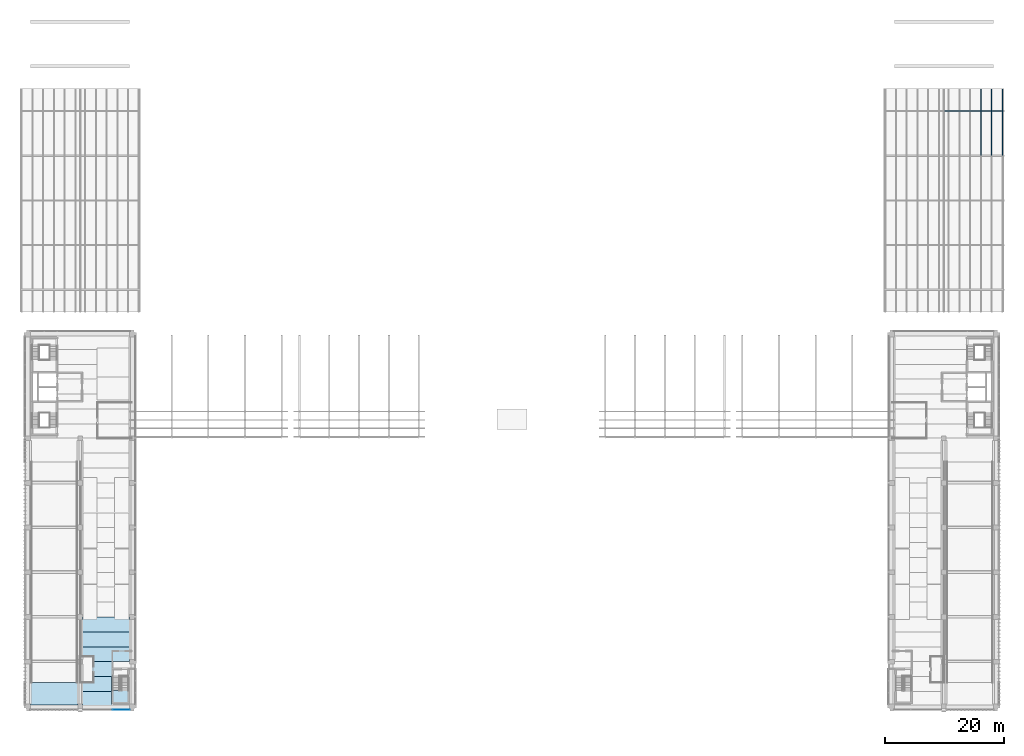
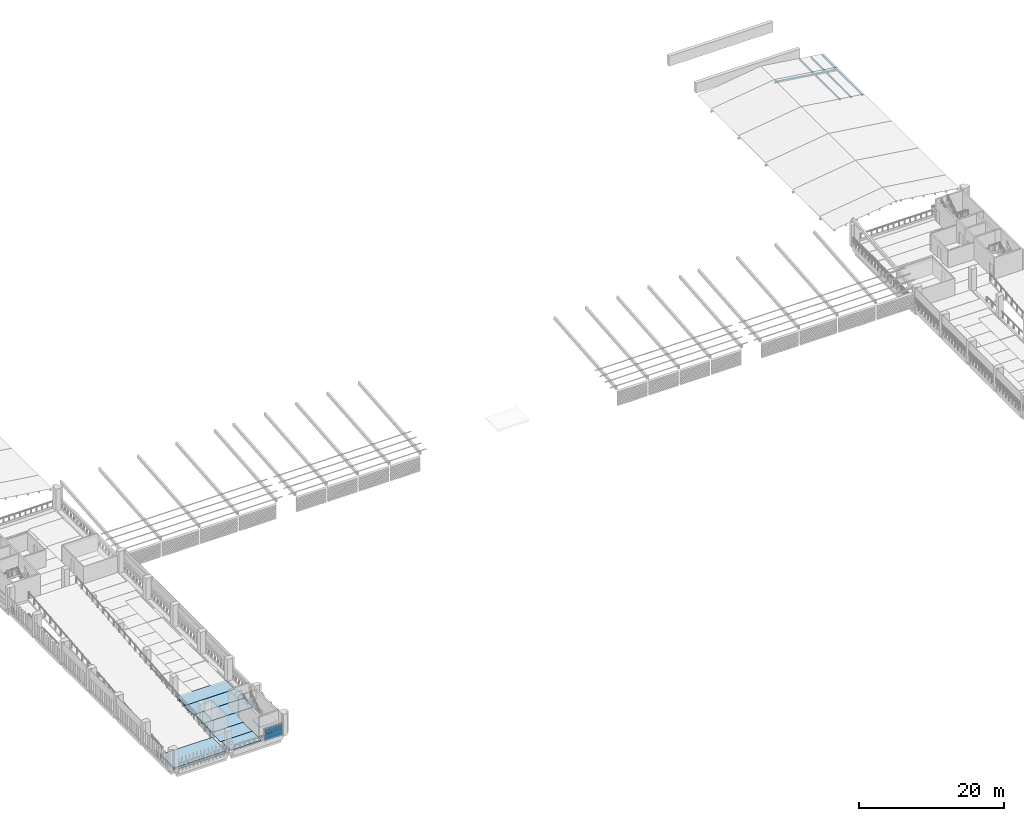
# One storey, part 20 of 52: 8 slabs, 4 members, 2 plates, 2 elements without a shape of their own.
"""IFC4 building model written with IfcOpenShell, lengths in metres."""

from ifc_helpers import new_model, si_unit, direction, frame, origin, origin_2d, place, context, subcontext, project, spatial, polyline, rectangle, hollow_rectangle, outline, extrude, material, layer, layer_set, material_profile, profile_set, type_object, element, aggregate, save


model = new_model("IFC4")

# Units and contexts
model_context = context("Model", 3, precision=1e-05, world=origin(), true_north=direction((0.0, 1.0)))
body_context = subcontext(model_context, "Body", "Model", "MODEL_VIEW")
ifc_project = project(units=[si_unit("LENGTHUNIT", "METRE"), si_unit("AREAUNIT", "SQUARE_METRE"), si_unit("VOLUMEUNIT", "CUBIC_METRE"), si_unit("PLANEANGLEUNIT", "RADIAN"), si_unit("MASSUNIT", "GRAM", prefix="KILO")], contexts=[model_context])

# Site, building, storey
site_placement = place(None, origin())
site = spatial("IfcSite", under=ifc_project, at=site_placement, CompositionType="ELEMENT")
building_placement = place(site_placement, origin())
building = spatial("IfcBuilding", under=site, at=building_placement, Name="Cour d'Honneur Mobility Palace", CompositionType="ELEMENT")
storey_placement = place(building_placement, frame((0.0, 0.0, 23.0)))
storey = spatial("IfcBuildingStorey", under=building, at=storey_placement, Name="L06", CompositionType="ELEMENT", Elevation=23.0)

# Members
ifc_material_1 = material(Name="Steel S355", Category="steel")
ifc_material_profile_1 = material_profile(ifc_material_1, hollow_rectangle(XDim=0.14990234375, YDim=0.25, WallThickness=0.010009765625, at=origin_2d()), Name="RHS 250x150x10")
ifc_profile_set_1 = profile_set([ifc_material_profile_1], Name="Steel S355")
member_type_1 = type_object("IfcMemberType", Name="Terrace purlin RHS 250x150x10", PredefinedType="PURLIN", material=ifc_profile_set_1)
for number, where, z_axis, x_axis, name in (
    (1, (163.425048828125, 92.39990234375, 0.55419921875), (0.0, 1.0, 0.0), (-0.990349673475, 0.0, 0.138591212736), "Terrace purlin TU-S7.4"),
    (2, (161.625, 92.39990234375, 0.80615234375), (0.0, 1.0, 0.0), (-0.990349673475, 0.0, 0.138591212736), "Terrace purlin TU-S8.4"),
    (3, (159.824951171875, 92.39990234375, 1.05810546875), (0.0, 1.0, 0.0), (-0.990349673475, 0.0, 0.138591212736), "Terrace purlin TU-S9.4"),
):
    element("IfcMember", number, at=place(storey_placement, frame(where, z_axis=z_axis, x_axis=x_axis)), inside=storey, type_object=member_type_1, Name=name, PredefinedType="PURLIN", context=body_context, shape_type="SweptSolid", body=[
        extrude(hollow_rectangle(XDim=0.14990234375, YDim=0.25, WallThickness=0.010009765625, at=origin_2d()), origin(), (0.0, 0.0, 1.0), 11.25),
    ])
ifc_material_2 = material(Name="Steel S355", Category="steel")
ifc_material_profile_2 = material_profile(ifc_material_2, hollow_rectangle(XDim=0.199951171875, YDim=0.300048828125, WallThickness=0.012451171875, at=origin_2d()), Name="RHS 300x200x12.5")
ifc_profile_set_2 = profile_set([ifc_material_profile_2], Name="Steel S355")
member_type_2 = type_object("IfcMemberType", Name="Terrace rafter RHS 300x200x12.5", PredefinedType="RAFTER", material=ifc_profile_set_2)
member_placement = place(storey_placement, frame((153.675048828125, 99.89990234375, 1.640869140625), z_axis=(0.990349712833, 0.0, -0.138590931493), x_axis=(0.0, 1.0, 0.0)))
element("IfcMember", 4, at=member_placement, inside=storey, type_object=member_type_2, Name="Terrace rafter TF-S5E", PredefinedType="RAFTER", context=body_context, shape_type="SweptSolid", body=[
    extrude(hollow_rectangle(XDim=0.199951171875, YDim=0.300048828125, WallThickness=0.012451171875, at=origin_2d()), origin(), (0.0, 0.0, 1.0), 10.097412109375),
])

# Slab
ifc_material_3 = material(Name="Concrete C50", Category="concrete")
ifc_layer_1 = layer(ifc_material_3, 0.39990234375)
ifc_layer_set_1 = layer_set([ifc_layer_1], Name="Concrete C50")
slab_type_1 = type_object("IfcSlabType", Name="Cast-in-place Slab 400", PredefinedType="LANDING", material=ifc_layer_set_1)
slab_1_placement = place(storey_placement, frame((0.0, 0.0, -0.39990234375)))
element("IfcSlab", 5, at=slab_1_placement, inside=storey, type_object=slab_type_1, Name="Cast-in-place slab S3 L06 landing", PredefinedType="LANDING", context=body_context, shape_type="SweptSolid", body=[
    extrude(outline(polyline([(8.300048828125, 0.39990234375), (8.300048828125, 0.22509765625), (0.39990234375, 0.22509765625), (0.39990234375, 0.39990234375), (0.199951171875, 0.39990234375), (0.199951171875, 4.0), (8.5, 4.0), (8.5, 0.39990234375), (8.300048828125, 0.39990234375)])), origin(), (0.0, 0.0, 1.0), 0.39990234375),
])

# Curtain wall, plates
ifc_material_4 = material(Name="Aluminium and glass", Category="aluminium")
ifc_layer_2 = layer(ifc_material_4, 0.10009765625)
ifc_layer_set_2 = layer_set([ifc_layer_2], Name="Aluminium and glass")
curtain_wall_type = type_object("IfcCurtainWallType", Name="Curtain wall run", PredefinedType="NOTDEFINED", material=ifc_layer_set_2)
curtain_wall_placement = place(storey_placement, origin())
curtain_wall = element("IfcCurtainWall", 6, at=curtain_wall_placement, inside=storey, type_object=curtain_wall_type, Name="Curtain wall CW-163", PredefinedType="NOTDEFINED")
ifc_material_5 = material(Name="Double glazing", Category="glass")
ifc_layer_3 = layer(ifc_material_5, 0.028076171875)
ifc_layer_set_3 = layer_set([ifc_layer_3], Name="Double glazing")
plate_type = type_object("IfcPlateType", Name="Curtain wall panel", PredefinedType="CURTAIN_PANEL", material=ifc_layer_set_3)
plate_1_placement = place(storey_placement, frame((15.60009765625, -0.550048828125, 0.06005859375), z_axis=(0.0, 0.0, 1.0), x_axis=(1.0, 0.0, 0.0)))
plate_1 = element("IfcPlate", 7, at=plate_1_placement, type_object=plate_type, Name="CW-163 panel 1.1", PredefinedType="CURTAIN_PANEL", context=body_context, shape_type="SweptSolid", body=[
    extrude(rectangle(XDim=2.8798828125, YDim=0.028076171875, at=origin_2d()), origin(), (0.0, 0.0, 1.0), 0.9599609375),
])
plate_2_placement = place(storey_placement, frame((15.60009765625, -0.550048828125, 1.080078125), z_axis=(0.0, 0.0, 1.0), x_axis=(1.0, 0.0, 0.0)))
plate_2 = element("IfcPlate", 8, at=plate_2_placement, type_object=plate_type, Name="CW-163 panel 1.2", PredefinedType="CURTAIN_PANEL", context=body_context, shape_type="SweptSolid", body=[
    extrude(rectangle(XDim=2.8798828125, YDim=0.028076171875, at=origin_2d()), origin(), (0.0, 0.0, 1.0), 0.9599609375),
])
aggregate(curtain_wall, [plate_1, plate_2])

# Slabs
ifc_material_6 = material(Name="Concrete C45", Category="concrete")
ifc_material_profile_3 = material_profile(ifc_material_6, outline(polyline([(-1.2451171875, 0.0), (1.2451171875, 0.0), (1.2451171875, -0.074951171875), (0.659912109375, -0.074951171875), (0.639892578125, -0.39990234375), (0.56005859375, -0.39990234375), (0.5400390625, -0.074951171875), (-0.5400390625, -0.074951171875), (-0.56005859375, -0.39990234375), (-0.639892578125, -0.39990234375), (-0.659912109375, -0.074951171875), (-1.2451171875, -0.074951171875), (-1.2451171875, 0.0)])), Name="DT 2490x400")
ifc_profile_set_3 = profile_set([ifc_material_profile_3], Name="Concrete C45")
slab_type_2 = type_object("IfcSlabType", Name="DT 2490x400", PredefinedType="FLOOR", material=ifc_profile_set_3)
slab_2_placement = place(storey_placement, frame((9.10009765625, 1.25, 0.0), z_axis=(1.0, 0.0, 0.0), x_axis=(0.0, 1.0, 0.0)))
element("IfcSlab", 9, at=slab_2_placement, inside=storey, type_object=slab_type_2, Name="Double tee DT-SW1 L06", PredefinedType="FLOOR", context=body_context, shape_type="SweptSolid", body=[
    extrude(outline(polyline([(-1.2451171875, 0.0), (1.2451171875, 0.0), (1.2451171875, -0.074951171875), (0.659912109375, -0.074951171875), (0.639892578125, -0.39990234375), (0.56005859375, -0.39990234375), (0.5400390625, -0.074951171875), (-0.5400390625, -0.074951171875), (-0.56005859375, -0.39990234375), (-0.639892578125, -0.39990234375), (-0.659912109375, -0.074951171875), (-1.2451171875, -0.074951171875), (-1.2451171875, 0.0)])), origin(), (0.0, 0.0, 1.0), 4.875),
])
slab_3_placement = place(storey_placement, frame((8.89990234375, 3.75, 0.0), z_axis=(1.0, 0.0, 0.0), x_axis=(0.0, 1.0, 0.0)))
element("IfcSlab", 10, at=slab_3_placement, inside=storey, type_object=slab_type_2, Name="Double tee DT-SW2 L06", PredefinedType="FLOOR", context=body_context, shape_type="SweptSolid", body=[
    extrude(outline(polyline([(-1.2451171875, 0.0), (1.2451171875, 0.0), (1.2451171875, -0.074951171875), (0.659912109375, -0.074951171875), (0.639892578125, -0.39990234375), (0.56005859375, -0.39990234375), (0.5400390625, -0.074951171875), (-0.5400390625, -0.074951171875), (-0.56005859375, -0.39990234375), (-0.639892578125, -0.39990234375), (-0.659912109375, -0.074951171875), (-1.2451171875, -0.074951171875), (-1.2451171875, 0.0)])), origin(), (0.0, 0.0, 1.0), 5.0751953125),
])
slab_4_placement = place(storey_placement, frame((9.10009765625, 6.25, 0.0), z_axis=(1.0, 0.0, 0.0), x_axis=(0.0, 1.0, 0.0)))
element("IfcSlab", 11, at=slab_4_placement, inside=storey, type_object=slab_type_2, Name="Double tee DT-SW3 L06", PredefinedType="FLOOR", context=body_context, shape_type="SweptSolid", body=[
    extrude(outline(polyline([(-1.2451171875, 0.0), (1.2451171875, 0.0), (1.2451171875, -0.074951171875), (0.659912109375, -0.074951171875), (0.639892578125, -0.39990234375), (0.56005859375, -0.39990234375), (0.5400390625, -0.074951171875), (-0.5400390625, -0.074951171875), (-0.56005859375, -0.39990234375), (-0.639892578125, -0.39990234375), (-0.659912109375, -0.074951171875), (-1.2451171875, -0.074951171875), (-1.2451171875, 0.0)])), origin(), (0.0, 0.0, 1.0), 5.0),
])
ifc_material_7 = material(Name="Concrete C45", Category="concrete")
ifc_material_profile_4 = material_profile(ifc_material_7, outline(polyline([(-1.2451171875, 0.0), (1.2451171875, 0.0), (1.2451171875, -0.10009765625), (0.669921875, -0.10009765625), (0.64501953125, -0.5), (0.554931640625, -0.5), (0.530029296875, -0.10009765625), (-0.530029296875, -0.10009765625), (-0.554931640625, -0.5), (-0.64501953125, -0.5), (-0.669921875, -0.10009765625), (-1.2451171875, -0.10009765625), (-1.2451171875, 0.0)])), Name="DT 2490x500")
ifc_profile_set_4 = profile_set([ifc_material_profile_4], Name="Concrete C45")
slab_type_3 = type_object("IfcSlabType", Name="DT 2490x500", PredefinedType="FLOOR", material=ifc_profile_set_4)
slab_5_placement = place(storey_placement, frame((9.10009765625, 8.75, 0.0), z_axis=(1.0, 0.0, 0.0), x_axis=(0.0, 1.0, 0.0)))
element("IfcSlab", 12, at=slab_5_placement, inside=storey, type_object=slab_type_3, Name="Double tee DT-SW4 L06", PredefinedType="FLOOR", context=body_context, shape_type="SweptSolid", body=[
    extrude(outline(polyline([(-1.2451171875, 0.0), (1.2451171875, 0.0), (1.2451171875, -0.10009765625), (0.669921875, -0.10009765625), (0.64501953125, -0.5), (0.554931640625, -0.5), (0.530029296875, -0.10009765625), (-0.530029296875, -0.10009765625), (-0.554931640625, -0.5), (-0.64501953125, -0.5), (-0.669921875, -0.10009765625), (-1.2451171875, -0.10009765625), (-1.2451171875, 0.0)])), origin(), (0.0, 0.0, 1.0), 7.89990234375),
])
slab_6_placement = place(storey_placement, frame((8.89990234375, 11.25, 0.0), z_axis=(1.0, 0.0, 0.0), x_axis=(0.0, 1.0, 0.0)))
element("IfcSlab", 13, at=slab_6_placement, inside=storey, type_object=slab_type_3, Name="Double tee DT-SW5 L06", PredefinedType="FLOOR", context=body_context, shape_type="SweptSolid", body=[
    extrude(outline(polyline([(-1.2451171875, 0.0), (1.2451171875, 0.0), (1.2451171875, -0.10009765625), (0.669921875, -0.10009765625), (0.64501953125, -0.5), (0.554931640625, -0.5), (0.530029296875, -0.10009765625), (-0.530029296875, -0.10009765625), (-0.554931640625, -0.5), (-0.64501953125, -0.5), (-0.669921875, -0.10009765625), (-1.2451171875, -0.10009765625), (-1.2451171875, 0.0)])), origin(), (0.0, 0.0, 1.0), 8.300048828125),
])
slab_7_placement = place(storey_placement, frame((9.10009765625, 13.75, 0.0), z_axis=(1.0, 0.0, 0.0), x_axis=(0.0, 1.0, 0.0)))
element("IfcSlab", 14, at=slab_7_placement, inside=storey, type_object=slab_type_3, Name="Double tee DT-SW6 L06", PredefinedType="FLOOR", context=body_context, shape_type="SweptSolid", body=[
    extrude(outline(polyline([(-1.2451171875, 0.0), (1.2451171875, 0.0), (1.2451171875, -0.10009765625), (0.669921875, -0.10009765625), (0.64501953125, -0.5), (0.554931640625, -0.5), (0.530029296875, -0.10009765625), (-0.530029296875, -0.10009765625), (-0.554931640625, -0.5), (-0.64501953125, -0.5), (-0.669921875, -0.10009765625), (-1.2451171875, -0.10009765625), (-1.2451171875, 0.0)])), origin(), (0.0, 0.0, 1.0), 7.89990234375),
])

# Stair, slab
ifc_material_8 = material(Name="Concrete C50", Category="concrete")
stair_type = type_object("IfcStairType", Name="Stair 20 risers", PredefinedType="HALF_TURN_STAIR", material=ifc_material_8)
stair_placement = place(storey_placement, origin())
stair = element("IfcStair", 15, at=stair_placement, inside=storey, type_object=stair_type, Name="Stair ST-RW1", PredefinedType="HALF_TURN_STAIR")
ifc_material_9 = material(Name="Concrete C50", Category="concrete")
ifc_layer_4 = layer(ifc_material_9, 0.199951171875)
ifc_layer_set_4 = layer_set([ifc_layer_4], Name="Concrete C50")
slab_type_4 = type_object("IfcSlabType", Name="Stair landing", PredefinedType="LANDING", material=ifc_layer_set_4)
slab_8_placement = place(storey_placement, frame((0.0, 0.0, 1.64990234375)))
slab_8 = element("IfcSlab", 16, at=slab_8_placement, type_object=slab_type_4, Name="ST-RW1 landing 1", PredefinedType="LANDING", context=body_context, shape_type="SweptSolid", body=[
    extrude(outline(polyline([(14.10009765625, 0.574951171875), (16.824951171875, 0.574951171875), (16.824951171875, 2.669921875), (14.10009765625, 2.669921875), (14.10009765625, 0.574951171875)])), origin(), (0.0, 0.0, 1.0), 0.2001953125),
])
aggregate(stair, [slab_8])

save(model, "model.ifc")
